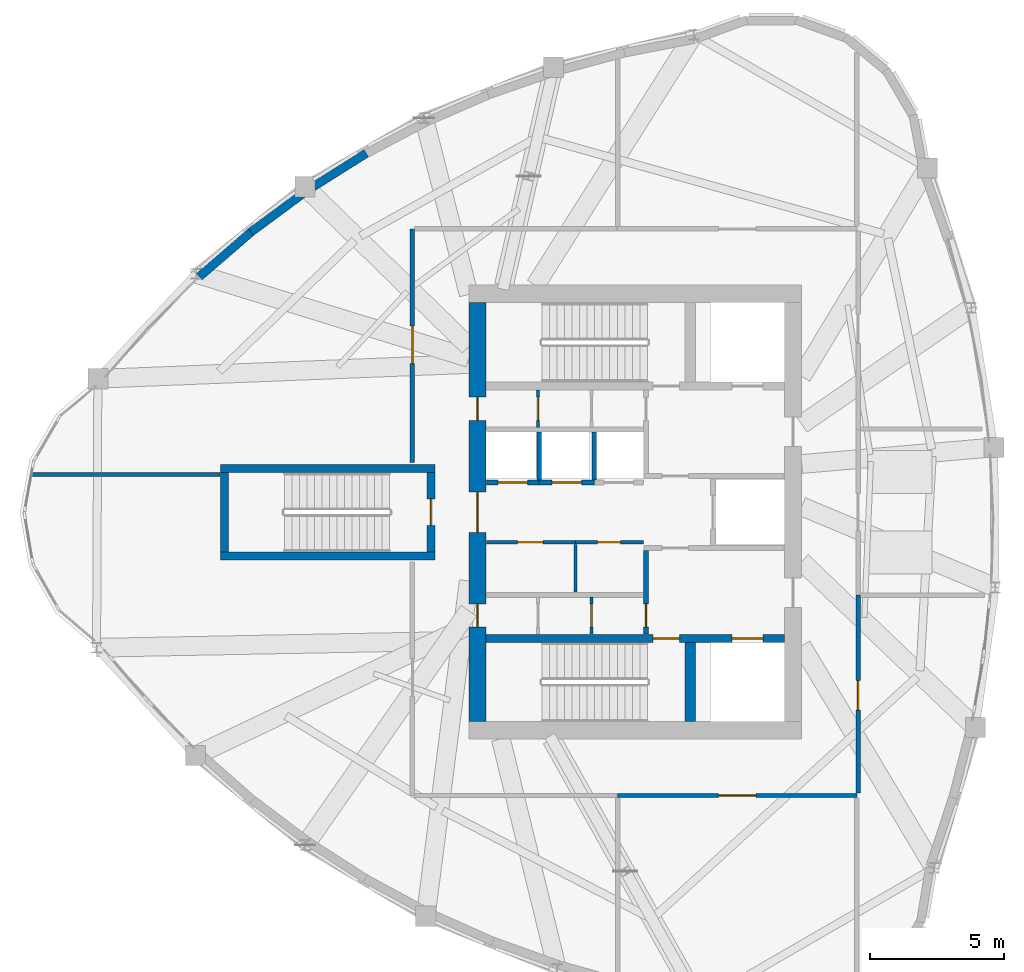
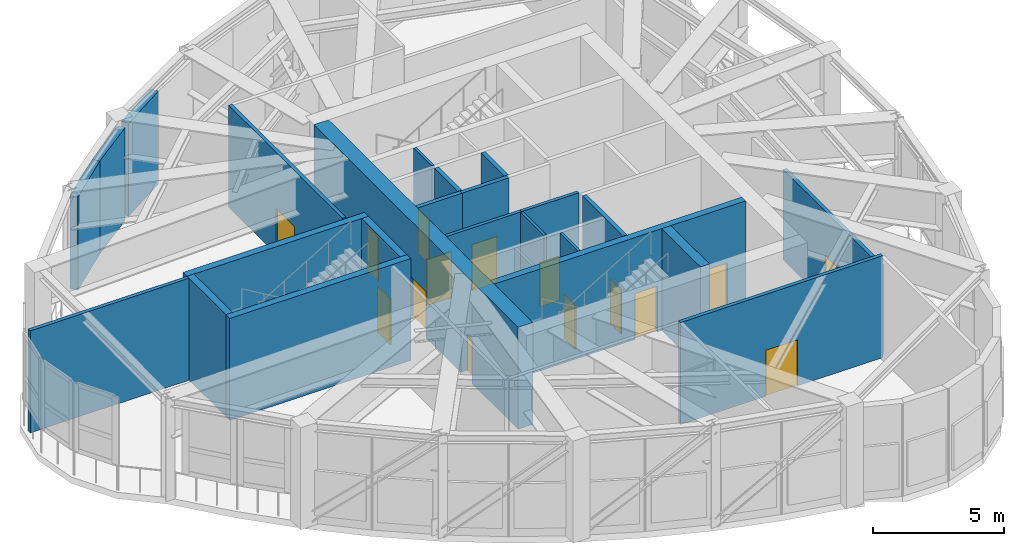
# One storey, part 5 of 10: 24 walls, 16 doors, 16 openings.
"""IFC4 building model written with IfcOpenShell, lengths in metres."""

from ifc_helpers import new_model, si_unit, direction, frame, frame_2d, origin, place, context, subcontext, project, spatial, rectangle, extrude, source, transform, mapped, material, layer, layer_set, type_object, element, fill, save


model = new_model("IFC4")

# Units and contexts
model_context = context("Model", 3, precision=1e-05, world=origin(), true_north=direction((0.0, 1.0)))
body_context = subcontext(model_context, "Body", "Model", "MODEL_VIEW")
ifc_project = project(units=[si_unit("LENGTHUNIT", "METRE"), si_unit("AREAUNIT", "SQUARE_METRE"), si_unit("VOLUMEUNIT", "CUBIC_METRE"), si_unit("PLANEANGLEUNIT", "RADIAN"), si_unit("MASSUNIT", "GRAM", prefix="KILO")], contexts=[model_context])

# Site, building, storey
site_placement = place(None, origin())
site = spatial("IfcSite", under=ifc_project, at=site_placement, CompositionType="ELEMENT")
building_placement = place(site_placement, origin())
building = spatial("IfcBuilding", under=site, at=building_placement, Name="Qafzar Sky-Pleat Residences", CompositionType="ELEMENT")
storey_placement = place(building_placement, frame((0.0, 0.0, 190.60009765625)))
storey = spatial("IfcBuildingStorey", under=building, at=storey_placement, Name="L57", CompositionType="ELEMENT", Elevation=190.60009765625)

# Wall, opening, door
ifc_material_1 = material(Name="Acoustic gypsum plasterboard partition", Category="gypsum")
ifc_layer_1 = layer(ifc_material_1, 0.159912109375)
ifc_layer_set_1 = layer_set([ifc_layer_1], Name="Acoustic gypsum plasterboard partition")
wall_type_1 = type_object("IfcWallType", Name="PART-COR-160", PredefinedType="PARTITIONING", material=ifc_layer_set_1)
wall_1_placement = place(storey_placement, frame((38.614990234375, 15.449951171875, 0.0), z_axis=(0.0, 0.0, 1.0), x_axis=(-1.0, 0.0, 0.0)))
wall_1 = element("IfcWall", 1, at=wall_1_placement, inside=storey, type_object=wall_type_1, Name="L57 Partition Wall PART-L57-PW-002", PredefinedType="PARTITIONING", context=body_context, shape_type="SweptSolid", body=[
    extrude(rectangle(XDim=8.929931640625, YDim=0.159912109375, at=frame_2d((4.46484375, 0.0))), origin(), (0.0, 0.0, 1.0), 4.760009765625),
])
opening_1_placement = place(wall_1_placement, frame((3.764892578125, 0.0, 0.0)))
opening_1 = element("IfcOpeningElement", 2, at=opening_1_placement, cuts=wall_1, Name="Opening ID-10", PredefinedType="OPENING", context=body_context, shape_type="SweptSolid", body=[
    extrude(rectangle(XDim=1.39990234375, YDim=2.14990234375, at=frame_2d((0.699951171875, 1.074951171875))), frame((0.0, 0.08984375, 0.0), z_axis=(0.0, -1.0, 0.0), x_axis=(1.0, 0.0, 0.0)), (0.0, 0.0, 1.0), 0.179931640625),
])
ifc_material_2 = material(Name="Timber-faced fire door", Category="wood")
door_type_1 = type_object("IfcDoorType", Name="DR-PLANT-1400", OperationType="DOUBLE_DOOR_SINGLE_SWING", PredefinedType="DOOR", material=ifc_material_2)
shared_shape_1 = source(origin(), body_context, "Body", "SweptSolid", [
    extrude(rectangle(XDim=1.39990234375, YDim=2.14990234375, at=frame_2d((0.699951171875, 1.074951171875))), frame((0.0, 0.02490234375, 0.0), z_axis=(0.0, -1.0, 0.0), x_axis=(1.0, 0.0, 0.0)), (0.0, 0.0, 1.0), 0.050048828125),
])
door_1_placement = place(opening_1_placement, origin())
door_1 = element("IfcDoor", 3, at=door_1_placement, inside=storey, type_object=door_type_1, Name="L57 HV Transformer and Switchgear Plant Room Door", OperationType="DOUBLE_DOOR_SINGLE_SWING", OverallHeight=2.14990234375, OverallWidth=1.39990234375, PredefinedType="DOOR", context=body_context, shape_type="MappedRepresentation", body=[
    mapped(shared_shape_1, transform((0.0, 0.0, 0.0), x_axis=(1.0, 0.0, 0.0), y_axis=(0.0, 1.0, 0.0), z_axis=(0.0, 0.0, 1.0), scale=1.0)),
])
fill(opening_1, door_1)

wall_2_placement = place(storey_placement, frame((22.050048828125, 27.85009765625, 0.0), z_axis=(0.0, 0.0, 1.0), x_axis=(0.0, 1.0, 0.0)))
wall_2 = element("IfcWall", 4, at=wall_2_placement, inside=storey, type_object=wall_type_1, Name="L57 Partition Wall PART-L57-PW-004", PredefinedType="PARTITIONING", context=body_context, shape_type="SweptSolid", body=[
    extrude(rectangle(XDim=8.699951171875, YDim=0.159912109375, at=frame_2d((4.35009765625, 0.0))), origin(), (0.0, 0.0, 1.0), 4.760009765625),
])
opening_2_placement = place(wall_2_placement, frame((3.679443359375, 0.0, 0.0)))
opening_2 = element("IfcOpeningElement", 5, at=opening_2_placement, cuts=wall_2, Name="Opening ID-10", PredefinedType="OPENING", context=body_context, shape_type="SweptSolid", body=[
    extrude(rectangle(XDim=1.39990234375, YDim=2.14990234375, at=frame_2d((0.699951171875, 1.074951171875))), frame((0.0, 0.08984375, 0.0), z_axis=(0.0, -1.0, 0.0), x_axis=(1.0, 0.0, 0.0)), (0.0, 0.0, 1.0), 0.179931640625),
])
door_2_placement = place(opening_2_placement, origin())
door_2 = element("IfcDoor", 6, at=door_2_placement, inside=storey, type_object=door_type_1, Name="L57 Chiller and Heat Exchanger Plant Room Door", OperationType="DOUBLE_DOOR_SINGLE_SWING", OverallHeight=2.14990234375, OverallWidth=1.39990234375, PredefinedType="DOOR", context=body_context, shape_type="MappedRepresentation", body=[
    mapped(shared_shape_1, transform((0.0, 0.0, 0.0), x_axis=(1.0, 0.0, 0.0), y_axis=(0.0, 1.0, 0.0), z_axis=(0.0, 0.0, 1.0), scale=1.0)),
])
fill(opening_2, door_2)

wall_3_placement = place(storey_placement, frame((38.64990234375, 22.9150390625, 0.0), z_axis=(0.0, 0.0, 1.0), x_axis=(0.0, -1.0, 0.0)))
wall_3 = element("IfcWall", 7, at=wall_3_placement, inside=storey, type_object=wall_type_1, Name="L57 Partition Wall PART-L57-PW-005", PredefinedType="PARTITIONING", context=body_context, shape_type="SweptSolid", body=[
    extrude(rectangle(XDim=7.376953125, YDim=0.159912109375, at=frame_2d((3.6884765625, 0.0))), origin(), (0.0, 0.0, 1.0), 4.227783203125),
])
opening_3_placement = place(wall_3_placement, frame((3.18994140625, 0.0, 0.0)))
opening_3 = element("IfcOpeningElement", 8, at=opening_3_placement, cuts=wall_3, Name="Opening ID-02", PredefinedType="OPENING", context=body_context, shape_type="SweptSolid", body=[
    extrude(rectangle(XDim=1.10009765625, YDim=2.14990234375, at=frame_2d((0.550048828125, 1.074951171875))), frame((0.0, 0.08984375, 0.0), z_axis=(0.0, -1.0, 0.0), x_axis=(1.0, 0.0, 0.0)), (0.0, 0.0, 1.0), 0.179931640625),
])
door_type_2 = type_object("IfcDoorType", Name="DR-FFL-1100", OperationType="NOTDEFINED", PredefinedType="DOOR", material=ifc_material_2)
shared_shape_2 = source(origin(), body_context, "Body", "SweptSolid", [
    extrude(rectangle(XDim=1.10009765625, YDim=2.14990234375, at=frame_2d((0.550048828125, 1.074951171875))), frame((0.0, 0.02490234375, 0.0), z_axis=(0.0, -1.0, 0.0), x_axis=(1.0, 0.0, 0.0)), (0.0, 0.0, 1.0), 0.050048828125),
])
door_3_placement = place(opening_3_placement, origin())
door_3 = element("IfcDoor", 9, at=door_3_placement, inside=storey, type_object=door_type_2, Name="L57 Refuge Area South Door", OperationType="SINGLE_SWING_RIGHT", OverallHeight=2.14990234375, OverallWidth=1.10009765625, PredefinedType="DOOR", context=body_context, shape_type="MappedRepresentation", body=[
    mapped(shared_shape_2, transform((0.0, 0.0, 0.0), x_axis=(1.0, 0.0, 0.0), y_axis=(0.0, 1.0, 0.0), z_axis=(0.0, 0.0, 1.0), scale=1.0)),
])
fill(opening_3, door_3)

# Wall
wall_4_placement = place(storey_placement, frame((7.8857421875, 27.39990234375, 0.0), z_axis=(0.0, 0.0, 1.0), x_axis=(1.0, 0.0, 0.0)))
element("IfcWall", 10, at=wall_4_placement, inside=storey, type_object=wall_type_1, Name="L57 Partition Wall PART-L57-PW-011", PredefinedType="PARTITIONING", context=body_context, shape_type="SweptSolid", body=[
    extrude(rectangle(XDim=7.00634765625, YDim=0.159912109375, at=frame_2d((3.503173828125, 0.0))), origin(), (0.0, 0.0, 1.0), 4.760009765625),
])

# Wall, opening, door
ifc_material_3 = material(Name="Concrete blockwork partition", Category="masonry")
ifc_layer_2 = layer(ifc_material_3, 0.179931640625)
ifc_layer_set_2 = layer_set([ifc_layer_2], Name="Concrete blockwork partition")
wall_type_2 = type_object("IfcWallType", Name="PART-SHAFT-180", PredefinedType="PARTITIONING", material=ifc_layer_set_2)
wall_5_placement = place(storey_placement, frame((30.75, 21.4599609375, 0.0), z_axis=(0.0, 0.0, 1.0), x_axis=(0.0, 1.0, 0.0)))
wall_5 = element("IfcWall", 11, at=wall_5_placement, inside=storey, type_object=wall_type_2, Name="L57 Partition Wall PART-L57-FFL1-W", PredefinedType="PARTITIONING", context=body_context, shape_type="SweptSolid", body=[
    extrude(rectangle(XDim=3.110107421875, YDim=0.179931640625, at=frame_2d((1.55517578125, 0.0))), origin(), (0.0, 0.0, 1.0), 4.760009765625),
])
opening_4_placement = place(wall_5_placement, frame((0.260009765625, 0.0, 0.0)))
opening_4 = element("IfcOpeningElement", 12, at=opening_4_placement, cuts=wall_5, Name="Opening ID-09", PredefinedType="OPENING", context=body_context, shape_type="SweptSolid", body=[
    extrude(rectangle(XDim=0.860107421875, YDim=2.050048828125, at=frame_2d((0.43017578125, 1.02490234375))), frame((0.0, 0.10009765625, 0.0), z_axis=(0.0, -1.0, 0.0), x_axis=(1.0, 0.0, 0.0)), (0.0, 0.0, 1.0), 0.199951171875),
])
door_type_3 = type_object("IfcDoorType", Name="DR-SVC-860", OperationType="NOTDEFINED", PredefinedType="DOOR", material=ifc_material_2)
shared_shape_3 = source(origin(), body_context, "Body", "SweptSolid", [
    extrude(rectangle(XDim=0.860107421875, YDim=2.050048828125, at=frame_2d((0.43017578125, 1.02490234375))), frame((0.0, 0.02490234375, 0.0), z_axis=(0.0, -1.0, 0.0), x_axis=(1.0, 0.0, 0.0)), (0.0, 0.0, 1.0), 0.050048828125),
])
door_4_placement = place(opening_4_placement, origin())
door_4 = element("IfcDoor", 13, at=door_4_placement, inside=storey, type_object=door_type_3, Name="L57 South Core Cupboard Door", OperationType="SINGLE_SWING_RIGHT", OverallHeight=2.050048828125, OverallWidth=0.860107421875, PredefinedType="DOOR", context=body_context, shape_type="MappedRepresentation", body=[
    mapped(shared_shape_3, transform((0.0, 0.0, 0.0), x_axis=(1.0, 0.0, 0.0), y_axis=(0.0, 1.0, 0.0), z_axis=(0.0, 0.0, 1.0), scale=1.0)),
])
fill(opening_4, door_4)

wall_6_placement = place(storey_placement, frame((24.81005859375, 27.10009765625, 0.0), z_axis=(0.0, 0.0, 1.0), x_axis=(1.0, 0.0, 0.0)))
wall_6 = element("IfcWall", 14, at=wall_6_placement, inside=storey, type_object=wall_type_2, Name="L57 Partition Wall PART-L57-P4-S", PredefinedType="PARTITIONING", context=body_context, shape_type="SweptSolid", body=[
    extrude(rectangle(XDim=1.96484375, YDim=0.179931640625, at=frame_2d((0.982421875, 0.0))), origin(), (0.0, 0.0, 1.0), 4.760009765625),
])
opening_5_placement = place(wall_6_placement, frame((0.4326171875, 0.0, 0.0)))
opening_5 = element("IfcOpeningElement", 15, at=opening_5_placement, cuts=wall_6, Name="Opening LD-01", PredefinedType="OPENING", context=body_context, shape_type="SweptSolid", body=[
    extrude(rectangle(XDim=1.10009765625, YDim=2.14990234375, at=frame_2d((0.550048828125, 1.074951171875))), frame((0.0, 0.10009765625, 0.0), z_axis=(0.0, -1.0, 0.0), x_axis=(1.0, 0.0, 0.0)), (0.0, 0.0, 1.0), 0.199951171875),
])
ifc_material_4 = material(Name="Stainless steel sliding landing door", Category="steel")
door_type_4 = type_object("IfcDoorType", Name="DR-LIFT-P", OperationType="DOUBLE_DOOR_SLIDING", PredefinedType="DOOR", material=ifc_material_4)
door_5_placement = place(opening_5_placement, origin())
door_5 = element("IfcDoor", 16, at=door_5_placement, inside=storey, type_object=door_type_4, Name="L57 Passenger Lift P4 Landing Door", OperationType="DOUBLE_DOOR_SLIDING", OverallHeight=2.14990234375, OverallWidth=1.10009765625, PredefinedType="DOOR", context=body_context, shape_type="MappedRepresentation", body=[
    mapped(shared_shape_2, transform((0.0, 0.0, 0.0), x_axis=(1.0, 0.0, 0.0), y_axis=(0.0, 1.0, 0.0), z_axis=(0.0, 0.0, 1.0), scale=1.0)),
])
fill(opening_5, door_5)

wall_7_placement = place(storey_placement, frame((26.77490234375, 27.10009765625, 0.0), z_axis=(0.0, 0.0, 1.0), x_axis=(1.0, 0.0, 0.0)))
wall_7 = element("IfcWall", 17, at=wall_7_placement, inside=storey, type_object=wall_type_2, Name="L57 Partition Wall PART-L57-P5-S", PredefinedType="PARTITIONING", context=body_context, shape_type="SweptSolid", body=[
    extrude(rectangle(XDim=2.050048828125, YDim=0.179931640625, at=frame_2d((1.02490234375, 0.0))), origin(), (0.0, 0.0, 1.0), 4.760009765625),
])
opening_6_placement = place(wall_7_placement, frame((0.47509765625, 0.0, 0.0)))
opening_6 = element("IfcOpeningElement", 18, at=opening_6_placement, cuts=wall_7, Name="Opening LD-01", PredefinedType="OPENING", context=body_context, shape_type="SweptSolid", body=[
    extrude(rectangle(XDim=1.10009765625, YDim=2.14990234375, at=frame_2d((0.550048828125, 1.074951171875))), frame((0.0, 0.10009765625, 0.0), z_axis=(0.0, -1.0, 0.0), x_axis=(1.0, 0.0, 0.0)), (0.0, 0.0, 1.0), 0.199951171875),
])
door_6_placement = place(opening_6_placement, origin())
door_6 = element("IfcDoor", 19, at=door_6_placement, inside=storey, type_object=door_type_4, Name="L57 Passenger Lift P5 Landing Door", OperationType="DOUBLE_DOOR_SLIDING", OverallHeight=2.14990234375, OverallWidth=1.10009765625, PredefinedType="DOOR", context=body_context, shape_type="MappedRepresentation", body=[
    mapped(shared_shape_2, transform((0.0, 0.0, 0.0), x_axis=(1.0, 0.0, 0.0), y_axis=(0.0, 1.0, 0.0), z_axis=(0.0, 0.0, 1.0), scale=1.0)),
])
fill(opening_6, door_6)

# Walls
for number, where, z_axis, x_axis, name in (
    (20, (26.77490234375, 27.199951171875, 0.0), (0.0, 0.0, 1.0), (0.0, 1.0, 0.0), "L57 Partition Wall PART-L57-P46-DIV-1"),
    (21, (28.824951171875, 27.199951171875, 0.0), (0.0, 0.0, 1.0), (0.0, 1.0, 0.0), "L57 Partition Wall PART-L57-P46-DIV-2"),
):
    element("IfcWall", number, at=place(storey_placement, frame(where, z_axis=z_axis, x_axis=x_axis)), inside=storey, type_object=wall_type_2, Name=name, PredefinedType="PARTITIONING", context=body_context, shape_type="SweptSolid", body=[
        extrude(rectangle(XDim=1.780029296875, YDim=0.179931640625, at=frame_2d((0.89013671875, 0.0))), origin(), (0.0, 0.0, 1.0), 4.760009765625),
    ])
ifc_material_5 = material(Name="Gypsum plasterboard partition", Category="gypsum")
ifc_layer_3 = layer(ifc_material_5, 0.114990234375)
ifc_layer_set_3 = layer_set([ifc_layer_3], Name="Gypsum plasterboard partition")
wall_type_3 = type_object("IfcWallType", Name="PART-SVC-115", PredefinedType="PARTITIONING", material=ifc_layer_set_3)
wall_8_placement = place(storey_placement, frame((28.125, 23.02001953125, 0.0), z_axis=(0.0, 0.0, 1.0), x_axis=(0.0, 1.0, 0.0)))
element("IfcWall", 22, at=wall_8_placement, inside=storey, type_object=wall_type_3, Name="L57 Partition Wall PART-L57-RECLAIM-DIV", PredefinedType="PARTITIONING", context=body_context, shape_type="SweptSolid", body=[
    extrude(rectangle(XDim=1.77001953125, YDim=0.114990234375, at=frame_2d((0.885009765625, 0.0))), origin(), (0.0, 0.0, 1.0), 4.760009765625),
])

# Wall, opening, door
wall_9_placement = place(storey_placement, frame((26.72509765625, 29.159912109375, 0.0), z_axis=(0.0, 0.0, 1.0), x_axis=(0.0, 1.0, 0.0)))
wall_9 = element("IfcWall", 23, at=wall_9_placement, inside=storey, type_object=wall_type_3, Name="L57 Partition Wall PART-L57-KC-NW-1", PredefinedType="PARTITIONING", context=body_context, shape_type="SweptSolid", body=[
    extrude(rectangle(XDim=1.380126953125, YDim=0.114990234375, at=frame_2d((0.68994140625, 0.0))), origin(), (0.0, 0.0, 1.0), 4.760009765625),
])
opening_7_placement = place(wall_9_placement, frame((0.260009765625, 0.0, 0.0)))
opening_7 = element("IfcOpeningElement", 24, at=opening_7_placement, cuts=wall_9, Name="Opening ID-09", PredefinedType="OPENING", context=body_context, shape_type="SweptSolid", body=[
    extrude(rectangle(XDim=0.860107421875, YDim=2.050048828125, at=frame_2d((0.43017578125, 1.02490234375))), frame((0.0, 0.0673828125, 0.0), z_axis=(0.0, -1.0, 0.0), x_axis=(1.0, 0.0, 0.0)), (0.0, 0.0, 1.0), 0.135009765625),
])
door_7_placement = place(opening_7_placement, origin())
door_7 = element("IfcDoor", 25, at=door_7_placement, inside=storey, type_object=door_type_3, Name="L57 Core North Cupboard 1 Door", OperationType="SINGLE_SWING_LEFT", OverallHeight=2.050048828125, OverallWidth=0.860107421875, PredefinedType="DOOR", context=body_context, shape_type="MappedRepresentation", body=[
    mapped(shared_shape_3, transform((0.0, 0.0, 0.0), x_axis=(1.0, 0.0, 0.0), y_axis=(0.0, 1.0, 0.0), z_axis=(0.0, 0.0, 1.0), scale=1.0)),
])
fill(opening_7, door_7)

wall_10_placement = place(storey_placement, frame((28.72509765625, 21.4599609375, 0.0), z_axis=(0.0, 0.0, 1.0), x_axis=(0.0, 1.0, 0.0)))
wall_10 = element("IfcWall", 26, at=wall_10_placement, inside=storey, type_object=wall_type_3, Name="L57 Partition Wall PART-L57-KC-SW-2", PredefinedType="PARTITIONING", context=body_context, shape_type="SweptSolid", body=[
    extrude(rectangle(XDim=1.380126953125, YDim=0.114990234375, at=frame_2d((0.68994140625, 0.0))), origin(), (0.0, 0.0, 1.0), 4.760009765625),
])
opening_8_placement = place(wall_10_placement, frame((0.260009765625, 0.0, 0.0)))
opening_8 = element("IfcOpeningElement", 27, at=opening_8_placement, cuts=wall_10, Name="Opening ID-09", PredefinedType="OPENING", context=body_context, shape_type="SweptSolid", body=[
    extrude(rectangle(XDim=0.860107421875, YDim=2.050048828125, at=frame_2d((0.43017578125, 1.02490234375))), frame((0.0, 0.0673828125, 0.0), z_axis=(0.0, -1.0, 0.0), x_axis=(1.0, 0.0, 0.0)), (0.0, 0.0, 1.0), 0.135009765625),
])
door_8_placement = place(opening_8_placement, origin())
door_8 = element("IfcDoor", 28, at=door_8_placement, inside=storey, type_object=door_type_3, Name="L57 Core South Cupboard 2 Door", OperationType="SINGLE_SWING_RIGHT", OverallHeight=2.050048828125, OverallWidth=0.860107421875, PredefinedType="DOOR", context=body_context, shape_type="MappedRepresentation", body=[
    mapped(shared_shape_3, transform((0.0, 0.0, 0.0), x_axis=(1.0, 0.0, 0.0), y_axis=(0.0, 1.0, 0.0), z_axis=(0.0, 0.0, 1.0), scale=1.0)),
])
fill(opening_8, door_8)

ifc_layer_4 = layer(ifc_material_1, 0.14501953125)
ifc_layer_set_4 = layer_set([ifc_layer_4], Name="Acoustic gypsum plasterboard partition")
wall_type_4 = type_object("IfcWallType", Name="PART-UNIT-145", PredefinedType="PARTITIONING", material=ifc_layer_set_4)
wall_11_placement = place(storey_placement, frame((24.81005859375, 24.8798828125, 0.0), z_axis=(0.0, 0.0, 1.0), x_axis=(1.0, 0.0, 0.0)))
wall_11 = element("IfcWall", 29, at=wall_11_placement, inside=storey, type_object=wall_type_4, Name="L57 Partition Wall PART-L57-RECLAIM-N1", PredefinedType="PARTITIONING", context=body_context, shape_type="SweptSolid", body=[
    extrude(rectangle(XDim=3.31005859375, YDim=0.14501953125, at=frame_2d((1.655029296875, 0.0))), origin(), (0.0, 0.0, 1.0), 4.760009765625),
])
opening_9_placement = place(wall_11_placement, frame((1.14990234375, 0.0, 0.0)))
opening_9 = element("IfcOpeningElement", 30, at=opening_9_placement, cuts=wall_11, Name="Opening ID-06", PredefinedType="OPENING", context=body_context, shape_type="SweptSolid", body=[
    extrude(rectangle(XDim=0.9599609375, YDim=2.10009765625, at=frame_2d((0.47998046875, 1.050048828125))), frame((0.0, 0.08251953125, 0.0), z_axis=(0.0, -1.0, 0.0), x_axis=(1.0, 0.0, 0.0)), (0.0, 0.0, 1.0), 0.1650390625),
])
door_type_5 = type_object("IfcDoorType", Name="DR-STD-960", OperationType="NOTDEFINED", PredefinedType="DOOR", material=ifc_material_2)
shared_shape_4 = source(origin(), body_context, "Body", "SweptSolid", [
    extrude(rectangle(XDim=0.9599609375, YDim=2.10009765625, at=frame_2d((0.47998046875, 1.050048828125))), frame((0.0, 0.02490234375, 0.0), z_axis=(0.0, -1.0, 0.0), x_axis=(1.0, 0.0, 0.0)), (0.0, 0.0, 1.0), 0.050048828125),
])
door_9_placement = place(opening_9_placement, origin())
door_9 = element("IfcDoor", 31, at=door_9_placement, inside=storey, type_object=door_type_5, Name="L57 Reclaimed Quiet Study Room Door", OperationType="SINGLE_SWING_RIGHT", OverallHeight=2.10009765625, OverallWidth=0.9599609375, PredefinedType="DOOR", context=body_context, shape_type="MappedRepresentation", body=[
    mapped(shared_shape_4, transform((0.0, 0.0, 0.0), x_axis=(1.0, 0.0, 0.0), y_axis=(0.0, 1.0, 0.0), z_axis=(0.0, 0.0, 1.0), scale=1.0)),
])
fill(opening_9, door_9)

wall_12_placement = place(storey_placement, frame((28.1298828125, 24.8798828125, 0.0), z_axis=(0.0, 0.0, 1.0), x_axis=(1.0, 0.0, 0.0)))
wall_12 = element("IfcWall", 32, at=wall_12_placement, inside=storey, type_object=wall_type_4, Name="L57 Partition Wall PART-L57-RECLAIM-N2", PredefinedType="PARTITIONING", context=body_context, shape_type="SweptSolid", body=[
    extrude(rectangle(XDim=2.52001953125, YDim=0.14501953125, at=frame_2d((1.260009765625, 0.0))), origin(), (0.0, 0.0, 1.0), 4.760009765625),
])
opening_10_placement = place(wall_12_placement, frame((0.820068359375, 0.0, 0.0)))
opening_10 = element("IfcOpeningElement", 33, at=opening_10_placement, cuts=wall_12, Name="Opening ID-09", PredefinedType="OPENING", context=body_context, shape_type="SweptSolid", body=[
    extrude(rectangle(XDim=0.860107421875, YDim=2.050048828125, at=frame_2d((0.43017578125, 1.02490234375))), frame((0.0, 0.08251953125, 0.0), z_axis=(0.0, -1.0, 0.0), x_axis=(1.0, 0.0, 0.0)), (0.0, 0.0, 1.0), 0.1650390625),
])
door_10_placement = place(opening_10_placement, origin())
door_10 = element("IfcDoor", 34, at=door_10_placement, inside=storey, type_object=door_type_3, Name="L57 Reclaimed Linen Cupboard Door", OperationType="SINGLE_SWING_LEFT", OverallHeight=2.050048828125, OverallWidth=0.860107421875, PredefinedType="DOOR", context=body_context, shape_type="MappedRepresentation", body=[
    mapped(shared_shape_3, transform((0.0, 0.0, 0.0), x_axis=(1.0, 0.0, 0.0), y_axis=(0.0, 1.0, 0.0), z_axis=(0.0, 0.0, 1.0), scale=1.0)),
])
fill(opening_10, door_10)

# Walls
ifc_material_6 = material(Name="Precast concrete C40/50 with honed Riyadh limestone", Category="concrete")
ifc_layer_5 = layer(ifc_material_6, 0.320068359375)
ifc_layer_set_5 = layer_set([ifc_layer_5], Name="Precast concrete C40/50 with honed Riyadh limestone")
wall_type_5 = type_object("IfcWallType", Name="WALL-EXT-320", PredefinedType="SOLIDWALL", material=ifc_layer_set_5)
wall_13_placement = place(storey_placement, frame((20.333984375, 39.365966796875, 0.0), z_axis=(0.0, 0.0, 1.0), x_axis=(-0.84643016858, -0.532499736825, 0.0)))
element("IfcWall", 35, at=wall_13_placement, inside=storey, type_object=wall_type_5, Name="L57 Limestone Facade Wall 44", PredefinedType="SOLIDWALL", context=body_context, shape_type="SweptSolid", body=[
    extrude(rectangle(XDim=2.437255859375, YDim=0.320068359375, at=frame_2d((1.21875, 0.0))), origin(), (0.0, 0.0, 1.0), 4.33984375),
])
wall_14_placement = place(storey_placement, frame((18.0087890625, 37.888916015625, 0.0), z_axis=(0.0, 0.0, 1.0), x_axis=(-0.803878079338, -0.594794110226, 0.0)))
element("IfcWall", 36, at=wall_14_placement, inside=storey, type_object=wall_type_5, Name="L57 Limestone Facade Wall 45", PredefinedType="SOLIDWALL", context=body_context, shape_type="SweptSolid", body=[
    extrude(rectangle(XDim=2.4521484375, YDim=0.320068359375, at=frame_2d((1.22607421875, 0.0))), origin(), (0.0, 0.0, 1.0), 4.33984375),
])
wall_15_placement = place(storey_placement, frame((16.106201171875, 36.485107421875, 0.0), z_axis=(0.0, 0.0, 1.0), x_axis=(-0.757462274619, -0.652878934052, 0.0)))
element("IfcWall", 37, at=wall_15_placement, inside=storey, type_object=wall_type_5, Name="L57 Limestone Facade Wall 46", PredefinedType="SOLIDWALL", context=body_context, shape_type="SweptSolid", body=[
    extrude(rectangle(XDim=2.626220703125, YDim=0.320068359375, at=frame_2d((1.31298828125, 0.0))), origin(), (0.0, 0.0, 1.0), 4.33984375),
])

# Wall, openings, doors
ifc_material_7 = material(Name="Concrete C60/75", Category="concrete")
ifc_layer_6 = layer(ifc_material_7, 0.300048828125)
ifc_layer_set_6 = layer_set([ifc_layer_6], Name="Concrete C60/75")
wall_type_6 = type_object("IfcWallType", Name="WALL-SHEAR-300", PredefinedType="SHEAR", material=ifc_layer_set_6)
wall_16_placement = place(storey_placement, frame((24.800048828125, 21.300048828125, 0.0), z_axis=(0.0, 0.0, 1.0), x_axis=(1.0, 0.0, 0.0)))
wall_16 = element("IfcWall", 38, at=wall_16_placement, inside=storey, type_object=wall_type_6, Name="L57 Stair ST1 and FF1 Shaft North Wall", PredefinedType="SHEAR", context=body_context, shape_type="SweptSolid", body=[
    extrude(rectangle(XDim=11.099853515625, YDim=0.300048828125, at=frame_2d((5.5498046875, 0.0))), origin(), (0.0, 0.0, 1.0), 4.760009765625),
])
opening_11_placement = place(wall_16_placement, frame((6.219970703125, 0.0, 0.0)))
opening_11 = element("IfcOpeningElement", 39, at=opening_11_placement, cuts=wall_16, Name="Opening ID-01", PredefinedType="OPENING", context=body_context, shape_type="SweptSolid", body=[
    extrude(rectangle(XDim=0.97998046875, YDim=2.14990234375, at=frame_2d((0.489990234375, 1.074951171875))), frame((0.0, 0.16015625, 0.0), z_axis=(0.0, -1.0, 0.0), x_axis=(1.0, 0.0, 0.0)), (0.0, 0.0, 1.0), 0.320068359375),
])
opening_12_placement = place(wall_16_placement, frame((9.14990234375, 0.0, 0.0)))
opening_12 = element("IfcOpeningElement", 40, at=opening_12_placement, cuts=wall_16, Name="Opening LD-02", PredefinedType="OPENING", context=body_context, shape_type="SweptSolid", body=[
    extrude(rectangle(XDim=1.14990234375, YDim=2.14990234375, at=frame_2d((0.574951171875, 1.074951171875))), frame((0.0, 0.16015625, 0.0), z_axis=(0.0, -1.0, 0.0), x_axis=(1.0, 0.0, 0.0)), (0.0, 0.0, 1.0), 0.320068359375),
])
door_type_6 = type_object("IfcDoorType", Name="DR-STAIR-980", OperationType="NOTDEFINED", PredefinedType="DOOR", material=ifc_material_2)
shared_shape_5 = source(origin(), body_context, "Body", "SweptSolid", [
    extrude(rectangle(XDim=0.97998046875, YDim=2.14990234375, at=frame_2d((0.489990234375, 1.074951171875))), frame((0.0, 0.02490234375, 0.0), z_axis=(0.0, -1.0, 0.0), x_axis=(1.0, 0.0, 0.0)), (0.0, 0.0, 1.0), 0.050048828125),
])
door_11_placement = place(opening_11_placement, origin())
door_11 = element("IfcDoor", 41, at=door_11_placement, inside=storey, type_object=door_type_6, Name="L57 Stair ST1 Fire Door", OperationType="SINGLE_SWING_LEFT", OverallHeight=2.14990234375, OverallWidth=0.97998046875, PredefinedType="DOOR", context=body_context, shape_type="MappedRepresentation", body=[
    mapped(shared_shape_5, transform((0.0, 0.0, 0.0), x_axis=(1.0, 0.0, 0.0), y_axis=(0.0, 1.0, 0.0), z_axis=(0.0, 0.0, 1.0), scale=1.0)),
])
fill(opening_11, door_11)
door_type_7 = type_object("IfcDoorType", Name="DR-LIFT-FF", OperationType="DOUBLE_DOOR_SLIDING", PredefinedType="DOOR", material=ifc_material_4)
shared_shape_6 = source(origin(), body_context, "Body", "SweptSolid", [
    extrude(rectangle(XDim=1.14990234375, YDim=2.14990234375, at=frame_2d((0.574951171875, 1.074951171875))), frame((0.0, 0.02490234375, 0.0), z_axis=(0.0, -1.0, 0.0), x_axis=(1.0, 0.0, 0.0)), (0.0, 0.0, 1.0), 0.050048828125),
])
door_12_placement = place(opening_12_placement, origin())
door_12 = element("IfcDoor", 42, at=door_12_placement, inside=storey, type_object=door_type_7, Name="L57 Firefighting Lift FF1 Landing Door", OperationType="DOUBLE_DOOR_SLIDING", OverallHeight=2.14990234375, OverallWidth=1.14990234375, PredefinedType="DOOR", context=body_context, shape_type="MappedRepresentation", body=[
    mapped(shared_shape_6, transform((0.0, 0.0, 0.0), x_axis=(1.0, 0.0, 0.0), y_axis=(0.0, 1.0, 0.0), z_axis=(0.0, 0.0, 1.0), scale=1.0)),
])
fill(opening_12, door_12)

# Walls
for number, where, z_axis, x_axis, name in (
    (43, (14.89990234375, 24.375, 0.0), (0.0, 0.0, 1.0), (1.0, 0.0, 0.0), "L57 ST3 wall S"),
    (44, (22.89990234375, 27.625, 0.0), (0.0, 0.0, 1.0), (-1.0, 0.0, 0.0), "L57 ST3 wall N"),
):
    element("IfcWall", number, at=place(storey_placement, frame(where, z_axis=z_axis, x_axis=x_axis)), inside=storey, type_object=wall_type_6, Name=name, PredefinedType="SHEAR", context=body_context, shape_type="SweptSolid", body=[
        extrude(rectangle(XDim=8.0, YDim=0.300048828125, at=frame_2d((4.0, 0.0))), origin(), (0.0, 0.0, 1.0), 4.760009765625),
    ])
wall_17_placement = place(storey_placement, frame((15.050048828125, 27.47509765625, 0.0), z_axis=(0.0, 0.0, 1.0), x_axis=(0.0, -1.0, 0.0)))
element("IfcWall", 45, at=wall_17_placement, inside=storey, type_object=wall_type_6, Name="L57 ST3 wall W", PredefinedType="SHEAR", context=body_context, shape_type="SweptSolid", body=[
    extrude(rectangle(XDim=2.9501953125, YDim=0.300048828125, at=frame_2d((1.47509765625, 0.0))), origin(), (0.0, 0.0, 1.0), 4.760009765625),
])

# Wall, opening, door
wall_18_placement = place(storey_placement, frame((22.75, 24.52490234375, 0.0), z_axis=(0.0, 0.0, 1.0), x_axis=(0.0, 1.0, 0.0)))
wall_18 = element("IfcWall", 46, at=wall_18_placement, inside=storey, type_object=wall_type_6, Name="L57 ST3 wall E", PredefinedType="SHEAR", context=body_context, shape_type="SweptSolid", body=[
    extrude(rectangle(XDim=2.9501953125, YDim=0.300048828125, at=frame_2d((1.47509765625, 0.0))), origin(), (0.0, 0.0, 1.0), 4.760009765625),
])
opening_13_placement = place(wall_18_placement, frame((0.985107421875, 0.0, 0.0)))
opening_13 = element("IfcOpeningElement", 47, at=opening_13_placement, cuts=wall_18, Name="Opening ID-01", PredefinedType="OPENING", context=body_context, shape_type="SweptSolid", body=[
    extrude(rectangle(XDim=0.97998046875, YDim=2.14990234375, at=frame_2d((0.489990234375, 1.074951171875))), frame((0.0, 0.16015625, 0.0), z_axis=(0.0, -1.0, 0.0), x_axis=(1.0, 0.0, 0.0)), (0.0, 0.0, 1.0), 0.320068359375),
])
door_13_placement = place(opening_13_placement, origin())
door_13 = element("IfcDoor", 48, at=door_13_placement, inside=storey, type_object=door_type_6, Name="L57 Stair ST3 Fire Door", OperationType="SINGLE_SWING_LEFT", OverallHeight=2.14990234375, OverallWidth=0.97998046875, PredefinedType="DOOR", context=body_context, shape_type="MappedRepresentation", body=[
    mapped(shared_shape_5, transform((0.0, 0.0, 0.0), x_axis=(1.0, 0.0, 0.0), y_axis=(0.0, 1.0, 0.0), z_axis=(0.0, 0.0, 1.0), scale=1.0)),
])
fill(opening_13, door_13)

# Wall
ifc_layer_7 = layer(ifc_material_7, 0.39990234375)
ifc_layer_set_7 = layer_set([ifc_layer_7], Name="Concrete C60/75")
wall_type_7 = type_object("IfcWallType", Name="WALL-SHEAR-400", PredefinedType="SHEAR", material=ifc_layer_set_7)
wall_19_placement = place(storey_placement, frame((32.39990234375, 18.199951171875, 0.0), z_axis=(0.0, 0.0, 1.0), x_axis=(0.0, 1.0, 0.0)))
element("IfcWall", 49, at=wall_19_placement, inside=storey, type_object=wall_type_7, Name="L57 Stair ST1 East Dividing Wall", PredefinedType="SHEAR", context=body_context, shape_type="SweptSolid", body=[
    extrude(rectangle(XDim=2.949951171875, YDim=0.39990234375, at=frame_2d((1.47509765625, 0.0))), origin(), (0.0, 0.0, 1.0), 4.760009765625),
])

# Wall, openings, doors
ifc_layer_8 = layer(ifc_material_7, 0.64990234375)
ifc_layer_set_8 = layer_set([ifc_layer_8], Name="Concrete C60/75")
wall_type_8 = type_object("IfcWallType", Name="WALL-SHEAR-650", PredefinedType="SHEAR", material=ifc_layer_set_8)
wall_20_placement = place(storey_placement, frame((24.47509765625, 33.800048828125, 0.0), z_axis=(0.0, 0.0, 1.0), x_axis=(0.0, -1.0, 0.0)))
wall_20 = element("IfcWall", 50, at=wall_20_placement, inside=storey, type_object=wall_type_8, Name="L57 CORE wall W", PredefinedType="SHEAR", context=body_context, shape_type="SweptSolid", body=[
    extrude(rectangle(XDim=15.60009765625, YDim=0.64990234375, at=frame_2d((7.800048828125, 0.0))), origin(), (0.0, 0.0, 1.0), 4.760009765625),
])
opening_14_placement = place(wall_20_placement, frame((7.050048828125, 0.0, 0.0)))
opening_14 = element("IfcOpeningElement", 51, at=opening_14_placement, cuts=wall_20, Name="Opening ID-03", PredefinedType="OPENING", context=body_context, shape_type="SweptSolid", body=[
    extrude(rectangle(XDim=1.5, YDim=2.14990234375, at=frame_2d((0.75, 1.074951171875))), frame((0.0, 0.3349609375, 0.0), z_axis=(0.0, -1.0, 0.0), x_axis=(1.0, 0.0, 0.0)), (0.0, 0.0, 1.0), 0.669921875),
])
opening_15_placement = place(wall_20_placement, frame((3.52001953125, 0.0, 0.0)))
opening_15 = element("IfcOpeningElement", 52, at=opening_15_placement, cuts=wall_20, Name="Opening ID-09", PredefinedType="OPENING", context=body_context, shape_type="SweptSolid", body=[
    extrude(rectangle(XDim=0.860107421875, YDim=2.050048828125, at=frame_2d((0.43017578125, 1.02490234375))), frame((0.0, 0.3349609375, 0.0), z_axis=(0.0, -1.0, 0.0), x_axis=(1.0, 0.0, 0.0)), (0.0, 0.0, 1.0), 0.669921875),
])
opening_16_placement = place(wall_20_placement, frame((11.219970703125, 0.0, 0.0)))
opening_16 = element("IfcOpeningElement", 53, at=opening_16_placement, cuts=wall_20, Name="Opening ID-09", PredefinedType="OPENING", context=body_context, shape_type="SweptSolid", body=[
    extrude(rectangle(XDim=0.860107421875, YDim=2.050048828125, at=frame_2d((0.43017578125, 1.02490234375))), frame((0.0, 0.3349609375, 0.0), z_axis=(0.0, -1.0, 0.0), x_axis=(1.0, 0.0, 0.0)), (0.0, 0.0, 1.0), 0.669921875),
])
door_type_8 = type_object("IfcDoorType", Name="DR-COR-1500", OperationType="DOUBLE_DOOR_SINGLE_SWING", PredefinedType="DOOR", material=ifc_material_2)
shared_shape_7 = source(origin(), body_context, "Body", "SweptSolid", [
    extrude(rectangle(XDim=1.5, YDim=2.14990234375, at=frame_2d((0.75, 1.074951171875))), frame((0.0, 0.02490234375, 0.0), z_axis=(0.0, -1.0, 0.0), x_axis=(1.0, 0.0, 0.0)), (0.0, 0.0, 1.0), 0.050048828125),
])
door_14_placement = place(opening_14_placement, origin())
door_14 = element("IfcDoor", 54, at=door_14_placement, inside=storey, type_object=door_type_8, Name="L57 Lift Lobby West Double Door", OperationType="DOUBLE_DOOR_SINGLE_SWING", OverallHeight=2.14990234375, OverallWidth=1.5, PredefinedType="DOOR", context=body_context, shape_type="MappedRepresentation", body=[
    mapped(shared_shape_7, transform((0.0, 0.0, 0.0), x_axis=(1.0, 0.0, 0.0), y_axis=(0.0, 1.0, 0.0), z_axis=(0.0, 0.0, 1.0), scale=1.0)),
])
fill(opening_14, door_14)
door_15_placement = place(opening_15_placement, origin())
door_15 = element("IfcDoor", 55, at=door_15_placement, inside=storey, type_object=door_type_3, Name="L57 Core North-West Service Door", OperationType="SINGLE_SWING_RIGHT", OverallHeight=2.050048828125, OverallWidth=0.860107421875, PredefinedType="DOOR", context=body_context, shape_type="MappedRepresentation", body=[
    mapped(shared_shape_3, transform((0.0, 0.0, 0.0), x_axis=(1.0, 0.0, 0.0), y_axis=(0.0, 1.0, 0.0), z_axis=(0.0, 0.0, 1.0), scale=1.0)),
])
fill(opening_15, door_15)
door_16_placement = place(opening_16_placement, origin())
door_16 = element("IfcDoor", 56, at=door_16_placement, inside=storey, type_object=door_type_3, Name="L57 Core South-West Service Door", OperationType="SINGLE_SWING_LEFT", OverallHeight=2.050048828125, OverallWidth=0.860107421875, PredefinedType="DOOR", context=body_context, shape_type="MappedRepresentation", body=[
    mapped(shared_shape_3, transform((0.0, 0.0, 0.0), x_axis=(1.0, 0.0, 0.0), y_axis=(0.0, 1.0, 0.0), z_axis=(0.0, 0.0, 1.0), scale=1.0)),
])
fill(opening_16, door_16)

save(model, "model.ifc")
